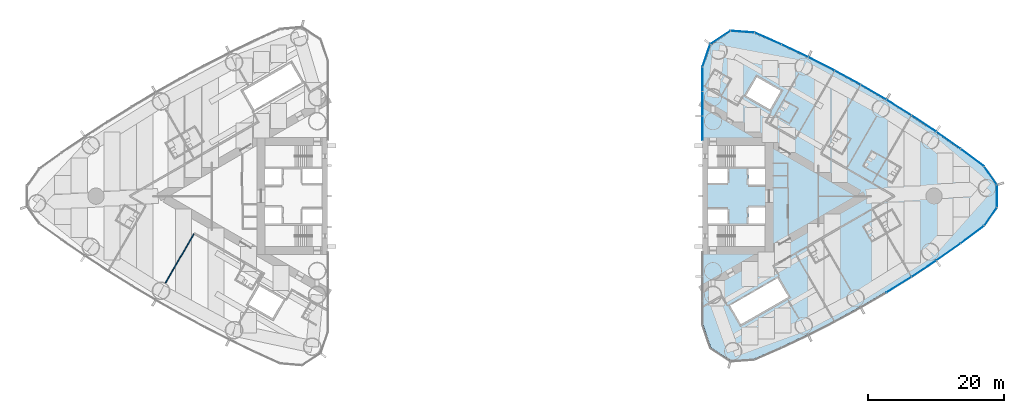
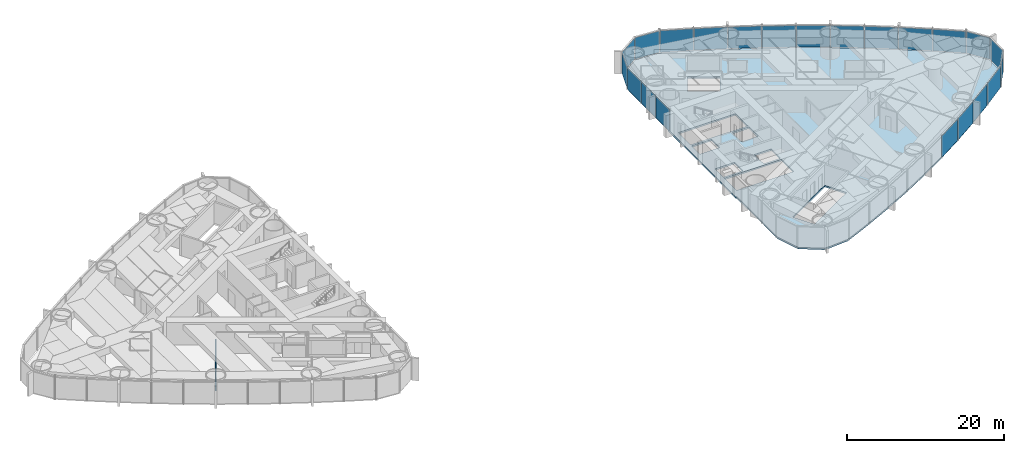
# One storey, part 10 of 19: 22 plates, 1 slab, 1 wall, 1 element without a shape of its own.
"""IFC4 building model written with IfcOpenShell, lengths in metres."""

from ifc_helpers import new_model, si_unit, direction, frame, frame_2d, origin, origin_2d, place, context, subcontext, project, spatial, polyline, rectangle, outline, extrude, material, layer, layer_set, type_object, element, aggregate, save


model = new_model("IFC4")

# Units and contexts
model_context = context("Model", 3, precision=1e-05, world=origin(), true_north=direction((0.0, 1.0)))
body_context = subcontext(model_context, "Body", "Model", "MODEL_VIEW")
ifc_project = project(units=[si_unit("LENGTHUNIT", "METRE"), si_unit("AREAUNIT", "SQUARE_METRE"), si_unit("VOLUMEUNIT", "CUBIC_METRE"), si_unit("PLANEANGLEUNIT", "RADIAN"), si_unit("MASSUNIT", "GRAM", prefix="KILO")], contexts=[model_context])

# Site, building, storey
site_placement = place(None, origin())
site = spatial("IfcSite", under=ifc_project, at=site_placement, CompositionType="ELEMENT")
building_placement = place(site_placement, origin())
building = spatial("IfcBuilding", under=site, at=building_placement, Name="Lancet Gate Hotel", CompositionType="ELEMENT")
storey_placement = place(building_placement, frame((0.0, 0.0, 111.60009765625)))
storey = spatial("IfcBuildingStorey", under=building, at=storey_placement, Name="L29", CompositionType="ELEMENT", Elevation=111.60009765625)

# Slab
ifc_material_1 = material(Name="Concrete C50/60", Category="concrete")
ifc_layer_1 = layer(ifc_material_1, 0.25)
ifc_layer_set_1 = layer_set([ifc_layer_1], Name="Floor slab 250")
slab_type = type_object("IfcSlabType", Name="Floor slab 250", PredefinedType="FLOOR", material=ifc_layer_set_1)
slab_placement = place(storey_placement, frame((0.0, 0.0, -0.25)))
element("IfcSlab", 1, at=slab_placement, inside=storey, type_object=slab_type, Name="T2 L29 floor slab", PredefinedType="FLOOR", context=body_context, shape_type="SweptSolid", body=[
    extrude(outline(polyline([(27.5, -8.60009765625), (27.6201171875, -8.60009765625), (27.6201171875, -18.923095703125), (28.7451171875, -22.22412109375), (31.63427734375, -24.1396484375), (35.112060546875, -23.890869140625), (39.0712890625, -22.150634765625), (42.996826171875, -20.29052734375), (46.867919921875, -18.31982421875), (50.681640625, -16.23974609375), (54.4345703125, -14.052490234375), (58.123779296875, -11.75927734375), (61.74658203125, -9.362548828125), (65.2998046875, -6.863525390625), (68.7666015625, -4.275390625), (70.627197265625, -1.6142578125), (70.627197265625, 1.6142578125), (68.7666015625, 4.275390625), (65.2998046875, 6.863525390625), (61.74658203125, 9.362548828125), (58.123779296875, 11.75927734375), (54.4345703125, 14.052490234375), (50.681640625, 16.23974609375), (46.867919921875, 18.31982421875), (42.996826171875, 20.29052734375), (39.0712890625, 22.150634765625), (35.112060546875, 23.890869140625), (31.63427734375, 24.1396484375), (28.7451171875, 22.22412109375), (27.6201171875, 18.923095703125), (27.6201171875, 8.60009765625), (27.5, 8.60009765625), (27.5, 8.199951171875), (27.5, -8.199951171875), (27.5, -8.60009765625)]), holes=[polyline([(36.699951171875, -7.39990234375), (36.699951171875, -4.300048828125), (28.300048828125, -4.300048828125), (28.300048828125, -7.39990234375), (36.699951171875, -7.39990234375)]), polyline([(28.300048828125, -4.0), (31.199951171875, -4.0), (31.199951171875, -1.89990234375), (28.300048828125, -1.89990234375), (28.300048828125, -4.0)]), polyline([(34.25, -4.0), (36.699951171875, -4.0), (36.699951171875, -1.64990234375), (34.25, -1.64990234375), (34.25, -4.0)]), polyline([(36.699951171875, 1.64990234375), (36.699951171875, 4.0), (34.25, 4.0), (34.25, 1.64990234375), (36.699951171875, 1.64990234375)]), polyline([(28.300048828125, 1.89990234375), (31.199951171875, 1.89990234375), (31.199951171875, 4.0), (28.300048828125, 4.0), (28.300048828125, 1.89990234375)]), polyline([(28.300048828125, 4.300048828125), (36.699951171875, 4.300048828125), (36.699951171875, 7.39990234375), (28.300048828125, 7.39990234375), (28.300048828125, 4.300048828125)]), polyline([(31.549072265625, -16.0810546875), (33.14892578125, -18.85205078125), (40.1640625, -14.802001953125), (38.56396484375, -12.031005859375), (31.549072265625, -16.0810546875)]), polyline([(33.887939453125, 14.73095703125), (37.43798828125, 12.680908203125), (39.0380859375, 15.451904296875), (35.488037109375, 17.501953125), (33.887939453125, 14.73095703125)])]), origin(), (0.0, 0.0, 1.0), 0.25),
])

# Curtain wall, plates
ifc_material_2 = material(Name="Aluminium curtain wall", Category="aluminium")
curtain_wall_type = type_object("IfcCurtainWallType", Name="Tower unitised curtain wall", PredefinedType="USERDEFINED", material=ifc_material_2)
curtain_wall_placement = place(storey_placement, origin())
curtain_wall = element("IfcCurtainWall", 2, at=curtain_wall_placement, inside=storey, type_object=curtain_wall_type, Name="T2 L29 curtain wall 1", ObjectType="UNITISED CURTAIN WALL", PredefinedType="USERDEFINED")
ifc_material_3 = material(Name="Glass double glazed unit 8-16-6", Category="glass")
ifc_layer_2 = layer(ifc_material_3, 0.030029296875)
ifc_layer_set_2 = layer_set([ifc_layer_2], Name="Vision panel double glazed")
plate_type = type_object("IfcPlateType", Name="Vision panel double glazed", PredefinedType="CURTAIN_PANEL", material=ifc_layer_set_2)
plate_1_placement = place(storey_placement, frame((56.342529296875, -13.0078125, -0.000244140625), z_axis=(0.0, 0.0, 1.0), x_axis=(0.849317759497, 0.527881940781, 0.0)))
plate_1 = element("IfcPlate", 3, at=plate_1_placement, type_object=plate_type, Name="T2 L29 curtain wall 1 panel 12", PredefinedType="CURTAIN_PANEL", context=body_context, shape_type="SweptSolid", body=[
    extrude(rectangle(XDim=4.2822265625, YDim=0.030029296875, at=origin_2d()), origin(), (0.0, 0.0, 1.0), 3.35009765625),
])
plate_2_placement = place(storey_placement, frame((60.00146484375, -10.660888671875, -0.000244140625), z_axis=(0.0, 0.0, 1.0), x_axis=(0.83398495346, 0.551787184885, 0.0)))
plate_2 = element("IfcPlate", 4, at=plate_2_placement, type_object=plate_type, Name="T2 L29 curtain wall 1 panel 13", PredefinedType="CURTAIN_PANEL", context=body_context, shape_type="SweptSolid", body=[
    extrude(rectangle(XDim=4.2822265625, YDim=0.030029296875, at=origin_2d()), origin(), (0.0, 0.0, 1.0), 3.35009765625),
])
plate_3_placement = place(storey_placement, frame((63.59228515625, -8.211181640625, -0.000244140625), z_axis=(0.0, 0.0, 1.0), x_axis=(0.817979492167, 0.57524738191, 0.0)))
plate_3 = element("IfcPlate", 5, at=plate_3_placement, type_object=plate_type, Name="T2 L29 curtain wall 1 panel 14", PredefinedType="CURTAIN_PANEL", context=body_context, shape_type="SweptSolid", body=[
    extrude(rectangle(XDim=4.2822265625, YDim=0.030029296875, at=origin_2d()), origin(), (0.0, 0.0, 1.0), 3.35009765625),
])
plate_4_placement = place(storey_placement, frame((67.112060546875, -5.660400390625, -0.000244140625), z_axis=(0.0, 0.0, 1.0), x_axis=(0.801314284905, 0.598243609917, 0.0)))
plate_4 = element("IfcPlate", 6, at=plate_4_placement, type_object=plate_type, Name="T2 L29 curtain wall 1 panel 15", PredefinedType="CURTAIN_PANEL", context=body_context, shape_type="SweptSolid", body=[
    extrude(rectangle(XDim=4.2822265625, YDim=0.030029296875, at=origin_2d()), origin(), (0.0, 0.0, 1.0), 3.35009765625),
])
plate_5_placement = place(storey_placement, frame((69.800537109375, -3.006103515625, -0.000244140625), z_axis=(0.0, 0.0, 1.0), x_axis=(0.573025075425, 0.819537834962, 0.0)))
plate_5 = element("IfcPlate", 7, at=plate_5_placement, type_object=plate_type, Name="T2 L29 curtain wall 1 panel 16", PredefinedType="CURTAIN_PANEL", context=body_context, shape_type="SweptSolid", body=[
    extrude(rectangle(XDim=3.2392578125, YDim=0.030029296875, at=origin_2d()), origin(), (0.0, 0.0, 1.0), 3.35009765625),
])
plate_6_placement = place(storey_placement, frame((70.747314453125, 0.0, -0.000244140625), z_axis=(0.0, 0.0, 1.0), x_axis=(0.0, 1.0, 0.0)))
plate_6 = element("IfcPlate", 8, at=plate_6_placement, type_object=plate_type, Name="T2 L29 curtain wall 1 panel 17", PredefinedType="CURTAIN_PANEL", context=body_context, shape_type="SweptSolid", body=[
    extrude(rectangle(XDim=3.2392578125, YDim=0.030029296875, at=origin_2d()), origin(), (0.0, 0.0, 1.0), 3.35009765625),
])
plate_7_placement = place(storey_placement, frame((69.800537109375, 3.006103515625, -0.000244140625), z_axis=(0.0, 0.0, 1.0), x_axis=(-0.573025075425, 0.819537834962, 0.0)))
plate_7 = element("IfcPlate", 9, at=plate_7_placement, type_object=plate_type, Name="T2 L29 curtain wall 1 panel 18", PredefinedType="CURTAIN_PANEL", context=body_context, shape_type="SweptSolid", body=[
    extrude(rectangle(XDim=3.2392578125, YDim=0.030029296875, at=origin_2d()), origin(), (0.0, 0.0, 1.0), 3.35009765625),
])
plate_8_placement = place(storey_placement, frame((67.112060546875, 5.660400390625, -0.000244140625), z_axis=(0.0, 0.0, 1.0), x_axis=(-0.801314284905, 0.598243609917, 0.0)))
plate_8 = element("IfcPlate", 10, at=plate_8_placement, type_object=plate_type, Name="T2 L29 curtain wall 1 panel 19", PredefinedType="CURTAIN_PANEL", context=body_context, shape_type="SweptSolid", body=[
    extrude(rectangle(XDim=4.2822265625, YDim=0.030029296875, at=origin_2d()), origin(), (0.0, 0.0, 1.0), 3.35009765625),
])
plate_9_placement = place(storey_placement, frame((63.59228515625, 8.211181640625, -0.000244140625), z_axis=(0.0, 0.0, 1.0), x_axis=(-0.817979492167, 0.57524738191, 0.0)))
plate_9 = element("IfcPlate", 11, at=plate_9_placement, type_object=plate_type, Name="T2 L29 curtain wall 1 panel 20", PredefinedType="CURTAIN_PANEL", context=body_context, shape_type="SweptSolid", body=[
    extrude(rectangle(XDim=4.2822265625, YDim=0.030029296875, at=origin_2d()), origin(), (0.0, 0.0, 1.0), 3.35009765625),
])
plate_10_placement = place(storey_placement, frame((60.00146484375, 10.660888671875, -0.000244140625), z_axis=(0.0, 0.0, 1.0), x_axis=(-0.83398495346, 0.551787184885, 0.0)))
plate_10 = element("IfcPlate", 12, at=plate_10_placement, type_object=plate_type, Name="T2 L29 curtain wall 1 panel 21", PredefinedType="CURTAIN_PANEL", context=body_context, shape_type="SweptSolid", body=[
    extrude(rectangle(XDim=4.2822265625, YDim=0.030029296875, at=origin_2d()), origin(), (0.0, 0.0, 1.0), 3.35009765625),
])
plate_11_placement = place(storey_placement, frame((56.342529296875, 13.0078125, -0.000244140625), z_axis=(0.0, 0.0, 1.0), x_axis=(-0.849317759497, 0.527881940781, 0.0)))
plate_11 = element("IfcPlate", 13, at=plate_11_placement, type_object=plate_type, Name="T2 L29 curtain wall 1 panel 22", PredefinedType="CURTAIN_PANEL", context=body_context, shape_type="SweptSolid", body=[
    extrude(rectangle(XDim=4.2822265625, YDim=0.030029296875, at=origin_2d()), origin(), (0.0, 0.0, 1.0), 3.35009765625),
])
plate_12_placement = place(storey_placement, frame((52.618408203125, 15.249755859375, -0.000244140625), z_axis=(0.0, 0.0, 1.0), x_axis=(-0.863965543499, 0.503550930538, 0.0)))
plate_12 = element("IfcPlate", 14, at=plate_12_placement, type_object=plate_type, Name="T2 L29 curtain wall 1 panel 23", PredefinedType="CURTAIN_PANEL", context=body_context, shape_type="SweptSolid", body=[
    extrude(rectangle(XDim=4.2822265625, YDim=0.030029296875, at=origin_2d()), origin(), (0.0, 0.0, 1.0), 3.35009765625),
])
plate_13_placement = place(storey_placement, frame((48.832275390625, 17.38525390625, -0.000244140625), z_axis=(0.0, 0.0, 1.0), x_axis=(-0.877916491224, 0.478813778454, 0.0)))
plate_13 = element("IfcPlate", 15, at=plate_13_placement, type_object=plate_type, Name="T2 L29 curtain wall 1 panel 24", PredefinedType="CURTAIN_PANEL", context=body_context, shape_type="SweptSolid", body=[
    extrude(rectangle(XDim=4.2822265625, YDim=0.030029296875, at=origin_2d()), origin(), (0.0, 0.0, 1.0), 3.35009765625),
])
plate_14_placement = place(storey_placement, frame((44.98681640625, 19.412109375, -0.000244140625), z_axis=(0.0, 0.0, 1.0), x_axis=(-0.891159350462, 0.453690436403, 0.0)))
plate_14 = element("IfcPlate", 16, at=plate_14_placement, type_object=plate_type, Name="T2 L29 curtain wall 1 panel 25", PredefinedType="CURTAIN_PANEL", context=body_context, shape_type="SweptSolid", body=[
    extrude(rectangle(XDim=4.2822265625, YDim=0.030029296875, at=origin_2d()), origin(), (0.0, 0.0, 1.0), 3.35009765625),
])
plate_15_placement = place(storey_placement, frame((41.08544921875, 21.3291015625, -0.000244140625), z_axis=(0.0, 0.0, 1.0), x_axis=(-0.903683440096, 0.428201167789, 0.0)))
plate_15 = element("IfcPlate", 17, at=plate_15_placement, type_object=plate_type, Name="T2 L29 curtain wall 1 panel 26", PredefinedType="CURTAIN_PANEL", context=body_context, shape_type="SweptSolid", body=[
    extrude(rectangle(XDim=4.2822265625, YDim=0.030029296875, at=origin_2d()), origin(), (0.0, 0.0, 1.0), 3.35009765625),
])
plate_16_placement = place(storey_placement, frame((37.13134765625, 23.13427734375, -0.000244140625), z_axis=(0.0, 0.0, 1.0), x_axis=(-0.915478658759, 0.40236653111, 0.0)))
plate_16 = element("IfcPlate", 18, at=plate_16_placement, type_object=plate_type, Name="T2 L29 curtain wall 1 panel 27", PredefinedType="CURTAIN_PANEL", context=body_context, shape_type="SweptSolid", body=[
    extrude(rectangle(XDim=4.2822265625, YDim=0.030029296875, at=origin_2d()), origin(), (0.0, 0.0, 1.0), 3.35009765625),
])
plate_17_placement = place(storey_placement, frame((33.37158203125, 24.1357421875, -0.000244140625), z_axis=(0.0, 0.0, 1.0), x_axis=(-0.997448492935, 0.07138980278, 0.0)))
plate_17 = element("IfcPlate", 19, at=plate_17_placement, type_object=plate_type, Name="T2 L29 curtain wall 1 panel 28", PredefinedType="CURTAIN_PANEL", context=body_context, shape_type="SweptSolid", body=[
    extrude(rectangle(XDim=3.4833984375, YDim=0.030029296875, at=origin_2d()), origin(), (0.0, 0.0, 1.0), 3.35009765625),
])
plate_18_placement = place(storey_placement, frame((30.123291015625, 23.281982421875, -0.000244140625), z_axis=(0.0, 0.0, 1.0), x_axis=(-0.833464516611, -0.552572981198, 0.0)))
plate_18 = element("IfcPlate", 20, at=plate_18_placement, type_object=plate_type, Name="T2 L29 curtain wall 1 panel 29", PredefinedType="CURTAIN_PANEL", context=body_context, shape_type="SweptSolid", body=[
    extrude(rectangle(XDim=3.4833984375, YDim=0.030029296875, at=origin_2d()), origin(), (0.0, 0.0, 1.0), 3.35009765625),
])
plate_19_placement = place(storey_placement, frame((28.072265625, 20.622314453125, -0.000244140625), z_axis=(0.0, 0.0, 1.0), x_axis=(-0.32257568891, -0.946543673015, 0.0)))
plate_19 = element("IfcPlate", 21, at=plate_19_placement, type_object=plate_type, Name="T2 L29 curtain wall 1 panel 30", PredefinedType="CURTAIN_PANEL", context=body_context, shape_type="SweptSolid", body=[
    extrude(rectangle(XDim=3.4833984375, YDim=0.030029296875, at=origin_2d()), origin(), (0.0, 0.0, 1.0), 3.35009765625),
])
plate_20_placement = place(storey_placement, frame((27.5, 17.15234375, -0.000244140625), z_axis=(0.0, 0.0, 1.0), x_axis=(0.0, -1.0, 0.0)))
plate_20 = element("IfcPlate", 22, at=plate_20_placement, type_object=plate_type, Name="T2 L29 curtain wall 1 panel 31", PredefinedType="CURTAIN_PANEL", context=body_context, shape_type="SweptSolid", body=[
    extrude(rectangle(XDim=3.515869140625, YDim=0.030029296875, at=origin_2d()), origin(), (0.0, 0.0, 1.0), 3.35009765625),
])
plate_21_placement = place(storey_placement, frame((27.5, 13.571533203125, -0.000244140625), z_axis=(0.0, 0.0, 1.0), x_axis=(0.0, -1.0, 0.0)))
plate_21 = element("IfcPlate", 23, at=plate_21_placement, type_object=plate_type, Name="T2 L29 curtain wall 1 panel 32", PredefinedType="CURTAIN_PANEL", context=body_context, shape_type="SweptSolid", body=[
    extrude(rectangle(XDim=3.515869140625, YDim=0.030029296875, at=origin_2d()), origin(), (0.0, 0.0, 1.0), 3.35009765625),
])
plate_22_placement = place(storey_placement, frame((27.5, 9.990478515625, -0.000244140625), z_axis=(0.0, 0.0, 1.0), x_axis=(0.0, -1.0, 0.0)))
plate_22 = element("IfcPlate", 24, at=plate_22_placement, type_object=plate_type, Name="T2 L29 curtain wall 1 panel 33", PredefinedType="CURTAIN_PANEL", context=body_context, shape_type="SweptSolid", body=[
    extrude(rectangle(XDim=3.515869140625, YDim=0.030029296875, at=origin_2d()), origin(), (0.0, 0.0, 1.0), 3.35009765625),
])
aggregate(curtain_wall, [plate_1, plate_2, plate_3, plate_4, plate_5, plate_6, plate_7, plate_8, plate_9, plate_10, plate_11, plate_12, plate_13, plate_14, plate_15, plate_16, plate_17, plate_18, plate_19, plate_20, plate_21, plate_22])

# Wall
ifc_material_4 = material(Name="Gypsum board partition")
ifc_layer_3 = layer(ifc_material_4, 0.14990234375)
ifc_layer_set_3 = layer_set([ifc_layer_3], Name="Party wall 150")
wall_type = type_object("IfcWallType", Name="Party wall 150", PredefinedType="PARTITIONING", material=ifc_layer_set_3)
wall_placement = place(storey_placement, frame((-47.151123046875, -5.552490234375, 0.0), z_axis=(0.0, 0.0, 1.0), x_axis=(-0.500003012045, -0.866023664773, 0.0)))
element("IfcWall", 25, at=wall_placement, inside=storey, type_object=wall_type, Name="T1 party wall 150 L29", PredefinedType="PARTITIONING", context=body_context, shape_type="SweptSolid", body=[
    extrude(rectangle(XDim=8.31103515625, YDim=0.14990234375, at=frame_2d((4.155517578125, 0.0))), origin(), (0.0, 0.0, 1.0), 2.199951171875),
])

save(model, "model.ifc")
